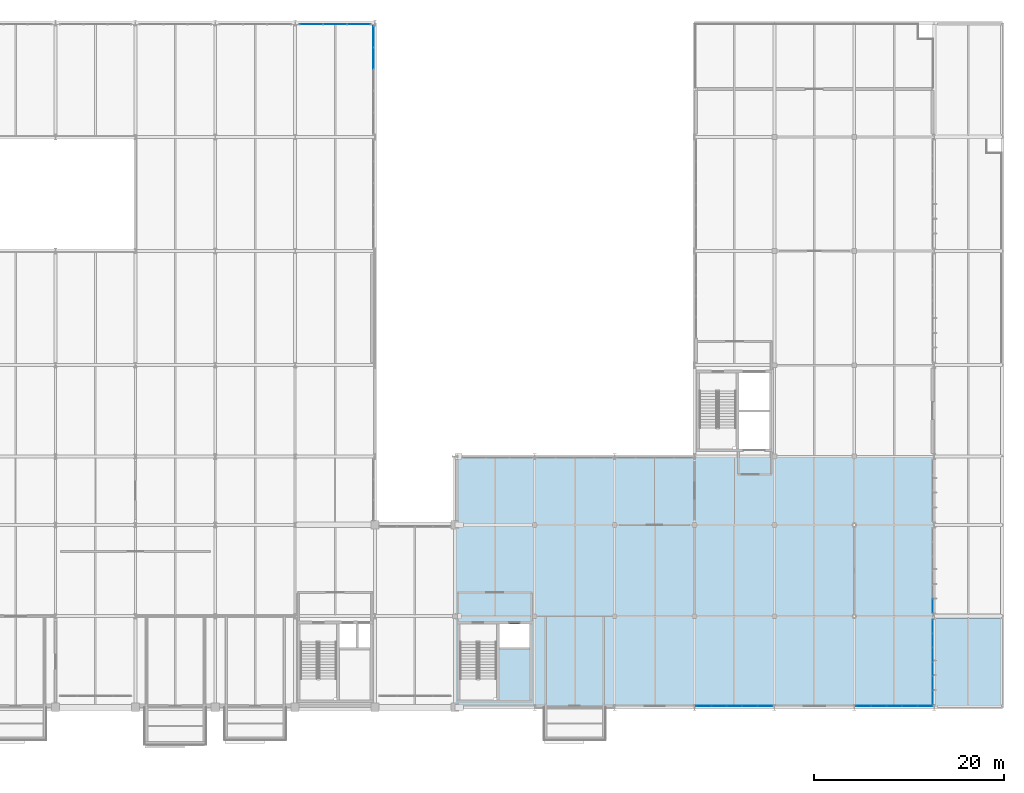
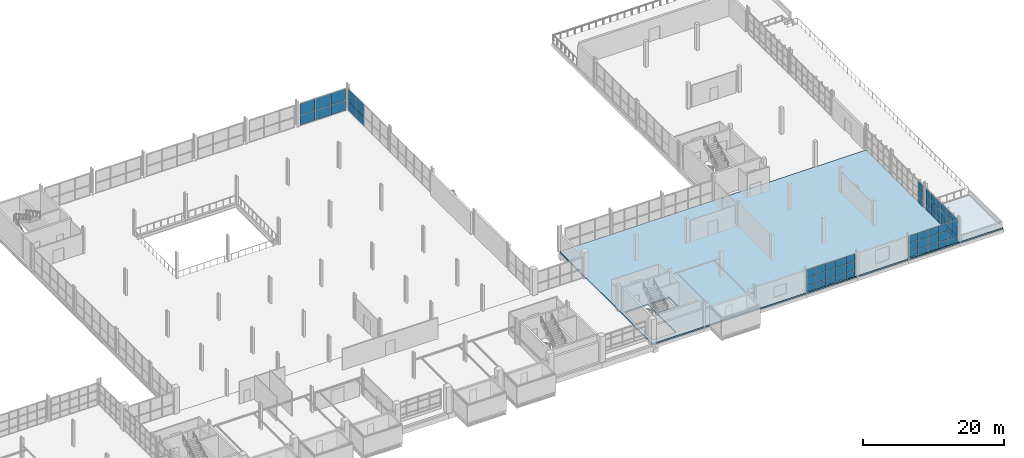
# One storey, part 90 of 109: 61 plates, 2 slabs, 6 elements without a shape of their own.
"""IFC4 building model written with IfcOpenShell, lengths in metres."""

from ifc_helpers import new_model, si_unit, direction, frame, origin, origin_2d, place, context, subcontext, project, spatial, polyline, rectangle, outline, extrude, material, layer, layer_set, type_object, element, aggregate, save


model = new_model("IFC4")

# Units and contexts
model_context = context("Model", 3, precision=1e-05, world=origin(), true_north=direction((0.0, 1.0)))
body_context = subcontext(model_context, "Body", "Model", "MODEL_VIEW")
ifc_project = project(units=[si_unit("LENGTHUNIT", "METRE"), si_unit("AREAUNIT", "SQUARE_METRE"), si_unit("VOLUMEUNIT", "CUBIC_METRE"), si_unit("PLANEANGLEUNIT", "RADIAN"), si_unit("MASSUNIT", "GRAM", prefix="KILO")], contexts=[model_context])

# Site, building, storey
site_placement = place(None, origin())
site = spatial("IfcSite", under=ifc_project, at=site_placement, CompositionType="ELEMENT")
building_placement = place(site_placement, origin())
building = spatial("IfcBuilding", under=site, at=building_placement, Name="Veltarok Museum of Natural Sciences", CompositionType="ELEMENT")
storey_placement = place(building_placement, frame((0.0, 0.0, 17.39990234375)))
storey = spatial("IfcBuildingStorey", under=building, at=storey_placement, Name="L03", CompositionType="ELEMENT", Elevation=17.39990234375)

# Slabs
ifc_material_1 = material(Name="Concrete C35/45", Category="concrete")
ifc_layer_1 = layer(ifc_material_1, 0.239990234375)
ifc_layer_set_1 = layer_set([ifc_layer_1], Name="Concrete C35/45")
slab_type_1 = type_object("IfcSlabType", Name="Insulated Flat Wing Roof Slab 240", PredefinedType="ROOF", material=ifc_layer_set_1)
slab_1_placement = place(storey_placement, frame((0.0, 0.0, -0.239990234375)))
element("IfcSlab", 1, at=slab_1_placement, inside=storey, type_object=slab_type_1, Name="Flat Wing Roof Slab RF-V5SE", PredefinedType="ROOF", context=body_context, shape_type="SweptSolid", body=[
    extrude(outline(polyline([(157.6201171875, 0.0), (157.6201171875, 9.35009765625), (164.800048828125, 9.35009765625), (164.800048828125, 0.0), (157.6201171875, 0.0)])), origin(), (0.0, 0.0, 1.0), 0.239990234375),
])
ifc_layer_2 = layer(ifc_material_1, 0.25)
ifc_layer_set_2 = layer_set([ifc_layer_2], Name="Concrete C35/45")
slab_type_2 = type_object("IfcSlabType", Name="Suspended Museum Floor Slab 250", PredefinedType="FLOOR", material=ifc_layer_set_2)
slab_2_placement = place(storey_placement, frame((0.0, 0.0, -0.25)))
element("IfcSlab", 2, at=slab_2_placement, inside=storey, type_object=slab_type_2, Name="Floor Slab L03 V5S", PredefinedType="FLOOR", context=body_context, shape_type="SweptSolid", body=[
    extrude(outline(polyline([(107.22509765625, 0.0), (107.22509765625, 26.39990234375), (157.60009765625, 26.39990234375), (157.60009765625, 0.0), (107.22509765625, 0.0)]), holes=[polyline([(107.72998046875, 8.800048828125), (107.72998046875, 0.800048828125), (111.570068359375, 0.800048828125), (111.570068359375, 8.800048828125), (107.72998046875, 8.800048828125)]), polyline([(115.070068359375, 8.800048828125), (111.8701171875, 8.800048828125), (111.8701171875, 6.300048828125), (115.070068359375, 6.300048828125), (115.070068359375, 8.800048828125)])]), origin(), (0.0, 0.0, 1.0), 0.25),
])

# Curtain wall, plates
ifc_material_2 = material(Name="Low-iron triple insulated glass", Category="glass")
curtain_wall_type_1 = type_object("IfcCurtainWallType", Name="Curtain Wall System CW-V2N-L03-11-756x388 (V2 North Hall L03 11-12 756x388cm)", PredefinedType="NOTDEFINED", material=ifc_material_2)
curtain_wall_1_placement = place(storey_placement, origin())
curtain_wall_1 = element("IfcCurtainWall", 3, at=curtain_wall_1_placement, inside=storey, type_object=curtain_wall_type_1, Name="Curtain Wall CW-V2N-L03-11-756x388 CW-0060", PredefinedType="NOTDEFINED")
ifc_layer_3 = layer(ifc_material_2, 0.028076171875)
ifc_layer_set_3 = layer_set([ifc_layer_3], Name="Low-iron triple insulated glass")
plate_type = type_object("IfcPlateType", Name="Triple Low-Iron Glazed Vision Panel 28", PredefinedType="CURTAIN_PANEL", material=ifc_layer_set_3)
plate_1_placement = place(storey_placement, frame((97.10498046875, 71.85009765625, 0.06005859375), z_axis=(0.0, 0.0, 1.0), x_axis=(-1.0, 0.0, 0.0)))
plate_1 = element("IfcPlate", 4, at=plate_1_placement, type_object=plate_type, Name="CW-V2N-L03-11-756x388 panel 1.1", PredefinedType="CURTAIN_PANEL", context=body_context, shape_type="SweptSolid", body=[
    extrude(rectangle(XDim=2.429931640625, YDim=0.028076171875, at=origin_2d()), origin(), (0.0, 0.0, 1.0), 1.7099609375),
])
plate_2_placement = place(storey_placement, frame((97.10498046875, 71.85009765625, 1.830078125), z_axis=(0.0, 0.0, 1.0), x_axis=(-1.0, 0.0, 0.0)))
plate_2 = element("IfcPlate", 5, at=plate_2_placement, type_object=plate_type, Name="CW-V2N-L03-11-756x388 panel 1.2", PredefinedType="CURTAIN_PANEL", context=body_context, shape_type="SweptSolid", body=[
    extrude(rectangle(XDim=2.429931640625, YDim=0.028076171875, at=origin_2d()), origin(), (0.0, 0.0, 1.0), 1.989990234375),
])
plate_3_placement = place(storey_placement, frame((94.60009765625, 71.85009765625, 0.06005859375), z_axis=(0.0, 0.0, 1.0), x_axis=(-1.0, 0.0, 0.0)))
plate_3 = element("IfcPlate", 6, at=plate_3_placement, type_object=plate_type, Name="CW-V2N-L03-11-756x388 panel 2.1", PredefinedType="CURTAIN_PANEL", context=body_context, shape_type="SweptSolid", body=[
    extrude(rectangle(XDim=2.4599609375, YDim=0.028076171875, at=origin_2d()), origin(), (0.0, 0.0, 1.0), 1.7099609375),
])
plate_4_placement = place(storey_placement, frame((94.60009765625, 71.85009765625, 1.830078125), z_axis=(0.0, 0.0, 1.0), x_axis=(-1.0, 0.0, 0.0)))
plate_4 = element("IfcPlate", 7, at=plate_4_placement, type_object=plate_type, Name="CW-V2N-L03-11-756x388 panel 2.2", PredefinedType="CURTAIN_PANEL", context=body_context, shape_type="SweptSolid", body=[
    extrude(rectangle(XDim=2.4599609375, YDim=0.028076171875, at=origin_2d()), origin(), (0.0, 0.0, 1.0), 1.989990234375),
])
plate_5_placement = place(storey_placement, frame((92.094970703125, 71.85009765625, 0.06005859375), z_axis=(0.0, 0.0, 1.0), x_axis=(-1.0, 0.0, 0.0)))
plate_5 = element("IfcPlate", 8, at=plate_5_placement, type_object=plate_type, Name="CW-V2N-L03-11-756x388 panel 3.1", PredefinedType="CURTAIN_PANEL", context=body_context, shape_type="SweptSolid", body=[
    extrude(rectangle(XDim=2.429931640625, YDim=0.028076171875, at=origin_2d()), origin(), (0.0, 0.0, 1.0), 1.7099609375),
])
plate_6_placement = place(storey_placement, frame((92.094970703125, 71.85009765625, 1.830078125), z_axis=(0.0, 0.0, 1.0), x_axis=(-1.0, 0.0, 0.0)))
plate_6 = element("IfcPlate", 9, at=plate_6_placement, type_object=plate_type, Name="CW-V2N-L03-11-756x388 panel 3.2", PredefinedType="CURTAIN_PANEL", context=body_context, shape_type="SweptSolid", body=[
    extrude(rectangle(XDim=2.429931640625, YDim=0.028076171875, at=origin_2d()), origin(), (0.0, 0.0, 1.0), 1.989990234375),
])
aggregate(curtain_wall_1, [plate_1, plate_2, plate_3, plate_4, plate_5, plate_6])

curtain_wall_type_2 = type_object("IfcCurtainWallType", Name="Curtain Wall System CW-V5S-L03-16-810x388 (V5 South Lab Curtain Wall L03 16-17 810x388cm)", PredefinedType="NOTDEFINED", material=ifc_material_2)
curtain_wall_2_placement = place(storey_placement, origin())
curtain_wall_2 = element("IfcCurtainWall", 10, at=curtain_wall_2_placement, inside=storey, type_object=curtain_wall_type_2, Name="Curtain Wall CW-V5S-L03-16-810x388 CW-0094", PredefinedType="NOTDEFINED")
plate_7_placement = place(storey_placement, frame((133.375, 0.159912109375, 0.06005859375), z_axis=(0.0, 0.0, 1.0), x_axis=(1.0, 0.0, 0.0)))
plate_7 = element("IfcPlate", 11, at=plate_7_placement, type_object=plate_type, Name="CW-V5S-L03-16-810x388 panel 1.1", PredefinedType="CURTAIN_PANEL", context=body_context, shape_type="SweptSolid", body=[
    extrude(rectangle(XDim=1.530029296875, YDim=0.028076171875, at=origin_2d()), origin(), (0.0, 0.0, 1.0), 0.909912109375),
])
plate_8_placement = place(storey_placement, frame((133.375, 0.159912109375, 1.030029296875), z_axis=(0.0, 0.0, 1.0), x_axis=(1.0, 0.0, 0.0)))
plate_8 = element("IfcPlate", 12, at=plate_8_placement, type_object=plate_type, Name="CW-V5S-L03-16-810x388 panel 1.2", PredefinedType="CURTAIN_PANEL", context=body_context, shape_type="SweptSolid", body=[
    extrude(rectangle(XDim=1.530029296875, YDim=0.028076171875, at=origin_2d()), origin(), (0.0, 0.0, 1.0), 1.43994140625),
])
plate_9_placement = place(storey_placement, frame((133.375, 0.159912109375, 2.530029296875), z_axis=(0.0, 0.0, 1.0), x_axis=(1.0, 0.0, 0.0)))
plate_9 = element("IfcPlate", 13, at=plate_9_placement, type_object=plate_type, Name="CW-V5S-L03-16-810x388 panel 1.3", PredefinedType="CURTAIN_PANEL", context=body_context, shape_type="SweptSolid", body=[
    extrude(rectangle(XDim=1.530029296875, YDim=0.028076171875, at=origin_2d()), origin(), (0.0, 0.0, 1.0), 1.2900390625),
])
plate_10_placement = place(storey_placement, frame((134.97998046875, 0.159912109375, 0.06005859375), z_axis=(0.0, 0.0, 1.0), x_axis=(1.0, 0.0, 0.0)))
plate_10 = element("IfcPlate", 14, at=plate_10_placement, type_object=plate_type, Name="CW-V5S-L03-16-810x388 panel 2.1", PredefinedType="CURTAIN_PANEL", context=body_context, shape_type="SweptSolid", body=[
    extrude(rectangle(XDim=1.56005859375, YDim=0.028076171875, at=origin_2d()), origin(), (0.0, 0.0, 1.0), 0.909912109375),
])
plate_11_placement = place(storey_placement, frame((134.97998046875, 0.159912109375, 1.030029296875), z_axis=(0.0, 0.0, 1.0), x_axis=(1.0, 0.0, 0.0)))
plate_11 = element("IfcPlate", 15, at=plate_11_placement, type_object=plate_type, Name="CW-V5S-L03-16-810x388 panel 2.2", PredefinedType="CURTAIN_PANEL", context=body_context, shape_type="SweptSolid", body=[
    extrude(rectangle(XDim=1.56005859375, YDim=0.028076171875, at=origin_2d()), origin(), (0.0, 0.0, 1.0), 1.43994140625),
])
plate_12_placement = place(storey_placement, frame((134.97998046875, 0.159912109375, 2.530029296875), z_axis=(0.0, 0.0, 1.0), x_axis=(1.0, 0.0, 0.0)))
plate_12 = element("IfcPlate", 16, at=plate_12_placement, type_object=plate_type, Name="CW-V5S-L03-16-810x388 panel 2.3", PredefinedType="CURTAIN_PANEL", context=body_context, shape_type="SweptSolid", body=[
    extrude(rectangle(XDim=1.56005859375, YDim=0.028076171875, at=origin_2d()), origin(), (0.0, 0.0, 1.0), 1.2900390625),
])
plate_13_placement = place(storey_placement, frame((136.60009765625, 0.159912109375, 0.06005859375), z_axis=(0.0, 0.0, 1.0), x_axis=(1.0, 0.0, 0.0)))
plate_13 = element("IfcPlate", 17, at=plate_13_placement, type_object=plate_type, Name="CW-V5S-L03-16-810x388 panel 3.1", PredefinedType="CURTAIN_PANEL", context=body_context, shape_type="SweptSolid", body=[
    extrude(rectangle(XDim=1.56005859375, YDim=0.028076171875, at=origin_2d()), origin(), (0.0, 0.0, 1.0), 0.909912109375),
])
plate_14_placement = place(storey_placement, frame((136.60009765625, 0.159912109375, 1.030029296875), z_axis=(0.0, 0.0, 1.0), x_axis=(1.0, 0.0, 0.0)))
plate_14 = element("IfcPlate", 18, at=plate_14_placement, type_object=plate_type, Name="CW-V5S-L03-16-810x388 panel 3.2", PredefinedType="CURTAIN_PANEL", context=body_context, shape_type="SweptSolid", body=[
    extrude(rectangle(XDim=1.56005859375, YDim=0.028076171875, at=origin_2d()), origin(), (0.0, 0.0, 1.0), 1.43994140625),
])
plate_15_placement = place(storey_placement, frame((136.60009765625, 0.159912109375, 2.530029296875), z_axis=(0.0, 0.0, 1.0), x_axis=(1.0, 0.0, 0.0)))
plate_15 = element("IfcPlate", 19, at=plate_15_placement, type_object=plate_type, Name="CW-V5S-L03-16-810x388 panel 3.3", PredefinedType="CURTAIN_PANEL", context=body_context, shape_type="SweptSolid", body=[
    extrude(rectangle(XDim=1.56005859375, YDim=0.028076171875, at=origin_2d()), origin(), (0.0, 0.0, 1.0), 1.2900390625),
])
plate_16_placement = place(storey_placement, frame((138.219970703125, 0.159912109375, 0.06005859375), z_axis=(0.0, 0.0, 1.0), x_axis=(1.0, 0.0, 0.0)))
plate_16 = element("IfcPlate", 20, at=plate_16_placement, type_object=plate_type, Name="CW-V5S-L03-16-810x388 panel 4.1", PredefinedType="CURTAIN_PANEL", context=body_context, shape_type="SweptSolid", body=[
    extrude(rectangle(XDim=1.56005859375, YDim=0.028076171875, at=origin_2d()), origin(), (0.0, 0.0, 1.0), 0.909912109375),
])
plate_17_placement = place(storey_placement, frame((138.219970703125, 0.159912109375, 1.030029296875), z_axis=(0.0, 0.0, 1.0), x_axis=(1.0, 0.0, 0.0)))
plate_17 = element("IfcPlate", 21, at=plate_17_placement, type_object=plate_type, Name="CW-V5S-L03-16-810x388 panel 4.2", PredefinedType="CURTAIN_PANEL", context=body_context, shape_type="SweptSolid", body=[
    extrude(rectangle(XDim=1.56005859375, YDim=0.028076171875, at=origin_2d()), origin(), (0.0, 0.0, 1.0), 1.43994140625),
])
plate_18_placement = place(storey_placement, frame((138.219970703125, 0.159912109375, 2.530029296875), z_axis=(0.0, 0.0, 1.0), x_axis=(1.0, 0.0, 0.0)))
plate_18 = element("IfcPlate", 22, at=plate_18_placement, type_object=plate_type, Name="CW-V5S-L03-16-810x388 panel 4.3", PredefinedType="CURTAIN_PANEL", context=body_context, shape_type="SweptSolid", body=[
    extrude(rectangle(XDim=1.56005859375, YDim=0.028076171875, at=origin_2d()), origin(), (0.0, 0.0, 1.0), 1.2900390625),
])
plate_19_placement = place(storey_placement, frame((139.824951171875, 0.159912109375, 0.06005859375), z_axis=(0.0, 0.0, 1.0), x_axis=(1.0, 0.0, 0.0)))
plate_19 = element("IfcPlate", 23, at=plate_19_placement, type_object=plate_type, Name="CW-V5S-L03-16-810x388 panel 5.1", PredefinedType="CURTAIN_PANEL", context=body_context, shape_type="SweptSolid", body=[
    extrude(rectangle(XDim=1.530029296875, YDim=0.028076171875, at=origin_2d()), origin(), (0.0, 0.0, 1.0), 0.909912109375),
])
plate_20_placement = place(storey_placement, frame((139.824951171875, 0.159912109375, 1.030029296875), z_axis=(0.0, 0.0, 1.0), x_axis=(1.0, 0.0, 0.0)))
plate_20 = element("IfcPlate", 24, at=plate_20_placement, type_object=plate_type, Name="CW-V5S-L03-16-810x388 panel 5.2", PredefinedType="CURTAIN_PANEL", context=body_context, shape_type="SweptSolid", body=[
    extrude(rectangle(XDim=1.530029296875, YDim=0.028076171875, at=origin_2d()), origin(), (0.0, 0.0, 1.0), 1.43994140625),
])
plate_21_placement = place(storey_placement, frame((139.824951171875, 0.159912109375, 2.530029296875), z_axis=(0.0, 0.0, 1.0), x_axis=(1.0, 0.0, 0.0)))
plate_21 = element("IfcPlate", 25, at=plate_21_placement, type_object=plate_type, Name="CW-V5S-L03-16-810x388 panel 5.3", PredefinedType="CURTAIN_PANEL", context=body_context, shape_type="SweptSolid", body=[
    extrude(rectangle(XDim=1.530029296875, YDim=0.028076171875, at=origin_2d()), origin(), (0.0, 0.0, 1.0), 1.2900390625),
])
aggregate(curtain_wall_2, [plate_7, plate_8, plate_9, plate_10, plate_11, plate_12, plate_13, plate_14, plate_15, plate_16, plate_17, plate_18, plate_19, plate_20, plate_21])

curtain_wall_type_3 = type_object("IfcCurtainWallType", Name="Curtain Wall System CW-V5S-L03-18-810x388 (V5 South Lab Curtain Wall L03 18-19 810x388cm)", PredefinedType="NOTDEFINED", material=ifc_material_2)
curtain_wall_3_placement = place(storey_placement, origin())
curtain_wall_3 = element("IfcCurtainWall", 26, at=curtain_wall_3_placement, inside=storey, type_object=curtain_wall_type_3, Name="Curtain Wall CW-V5S-L03-18-810x388 CW-0095", PredefinedType="NOTDEFINED")
plate_22_placement = place(storey_placement, frame((150.175048828125, 0.159912109375, 0.06005859375), z_axis=(0.0, 0.0, 1.0), x_axis=(1.0, 0.0, 0.0)))
plate_22 = element("IfcPlate", 27, at=plate_22_placement, type_object=plate_type, Name="CW-V5S-L03-18-810x388 panel 1.1", PredefinedType="CURTAIN_PANEL", context=body_context, shape_type="SweptSolid", body=[
    extrude(rectangle(XDim=1.530029296875, YDim=0.028076171875, at=origin_2d()), origin(), (0.0, 0.0, 1.0), 0.909912109375),
])
plate_23_placement = place(storey_placement, frame((150.175048828125, 0.159912109375, 1.030029296875), z_axis=(0.0, 0.0, 1.0), x_axis=(1.0, 0.0, 0.0)))
plate_23 = element("IfcPlate", 28, at=plate_23_placement, type_object=plate_type, Name="CW-V5S-L03-18-810x388 panel 1.2", PredefinedType="CURTAIN_PANEL", context=body_context, shape_type="SweptSolid", body=[
    extrude(rectangle(XDim=1.530029296875, YDim=0.028076171875, at=origin_2d()), origin(), (0.0, 0.0, 1.0), 1.43994140625),
])
plate_24_placement = place(storey_placement, frame((150.175048828125, 0.159912109375, 2.530029296875), z_axis=(0.0, 0.0, 1.0), x_axis=(1.0, 0.0, 0.0)))
plate_24 = element("IfcPlate", 29, at=plate_24_placement, type_object=plate_type, Name="CW-V5S-L03-18-810x388 panel 1.3", PredefinedType="CURTAIN_PANEL", context=body_context, shape_type="SweptSolid", body=[
    extrude(rectangle(XDim=1.530029296875, YDim=0.028076171875, at=origin_2d()), origin(), (0.0, 0.0, 1.0), 1.2900390625),
])
plate_25_placement = place(storey_placement, frame((151.780029296875, 0.159912109375, 0.06005859375), z_axis=(0.0, 0.0, 1.0), x_axis=(1.0, 0.0, 0.0)))
plate_25 = element("IfcPlate", 30, at=plate_25_placement, type_object=plate_type, Name="CW-V5S-L03-18-810x388 panel 2.1", PredefinedType="CURTAIN_PANEL", context=body_context, shape_type="SweptSolid", body=[
    extrude(rectangle(XDim=1.56005859375, YDim=0.028076171875, at=origin_2d()), origin(), (0.0, 0.0, 1.0), 0.909912109375),
])
plate_26_placement = place(storey_placement, frame((151.780029296875, 0.159912109375, 1.030029296875), z_axis=(0.0, 0.0, 1.0), x_axis=(1.0, 0.0, 0.0)))
plate_26 = element("IfcPlate", 31, at=plate_26_placement, type_object=plate_type, Name="CW-V5S-L03-18-810x388 panel 2.2", PredefinedType="CURTAIN_PANEL", context=body_context, shape_type="SweptSolid", body=[
    extrude(rectangle(XDim=1.56005859375, YDim=0.028076171875, at=origin_2d()), origin(), (0.0, 0.0, 1.0), 1.43994140625),
])
plate_27_placement = place(storey_placement, frame((151.780029296875, 0.159912109375, 2.530029296875), z_axis=(0.0, 0.0, 1.0), x_axis=(1.0, 0.0, 0.0)))
plate_27 = element("IfcPlate", 32, at=plate_27_placement, type_object=plate_type, Name="CW-V5S-L03-18-810x388 panel 2.3", PredefinedType="CURTAIN_PANEL", context=body_context, shape_type="SweptSolid", body=[
    extrude(rectangle(XDim=1.56005859375, YDim=0.028076171875, at=origin_2d()), origin(), (0.0, 0.0, 1.0), 1.2900390625),
])
plate_28_placement = place(storey_placement, frame((153.39990234375, 0.159912109375, 0.06005859375), z_axis=(0.0, 0.0, 1.0), x_axis=(1.0, 0.0, 0.0)))
plate_28 = element("IfcPlate", 33, at=plate_28_placement, type_object=plate_type, Name="CW-V5S-L03-18-810x388 panel 3.1", PredefinedType="CURTAIN_PANEL", context=body_context, shape_type="SweptSolid", body=[
    extrude(rectangle(XDim=1.56005859375, YDim=0.028076171875, at=origin_2d()), origin(), (0.0, 0.0, 1.0), 0.909912109375),
])
plate_29_placement = place(storey_placement, frame((153.39990234375, 0.159912109375, 1.030029296875), z_axis=(0.0, 0.0, 1.0), x_axis=(1.0, 0.0, 0.0)))
plate_29 = element("IfcPlate", 34, at=plate_29_placement, type_object=plate_type, Name="CW-V5S-L03-18-810x388 panel 3.2", PredefinedType="CURTAIN_PANEL", context=body_context, shape_type="SweptSolid", body=[
    extrude(rectangle(XDim=1.56005859375, YDim=0.028076171875, at=origin_2d()), origin(), (0.0, 0.0, 1.0), 1.43994140625),
])
plate_30_placement = place(storey_placement, frame((153.39990234375, 0.159912109375, 2.530029296875), z_axis=(0.0, 0.0, 1.0), x_axis=(1.0, 0.0, 0.0)))
plate_30 = element("IfcPlate", 35, at=plate_30_placement, type_object=plate_type, Name="CW-V5S-L03-18-810x388 panel 3.3", PredefinedType="CURTAIN_PANEL", context=body_context, shape_type="SweptSolid", body=[
    extrude(rectangle(XDim=1.56005859375, YDim=0.028076171875, at=origin_2d()), origin(), (0.0, 0.0, 1.0), 1.2900390625),
])
plate_31_placement = place(storey_placement, frame((155.02001953125, 0.159912109375, 0.06005859375), z_axis=(0.0, 0.0, 1.0), x_axis=(1.0, 0.0, 0.0)))
plate_31 = element("IfcPlate", 36, at=plate_31_placement, type_object=plate_type, Name="CW-V5S-L03-18-810x388 panel 4.1", PredefinedType="CURTAIN_PANEL", context=body_context, shape_type="SweptSolid", body=[
    extrude(rectangle(XDim=1.56005859375, YDim=0.028076171875, at=origin_2d()), origin(), (0.0, 0.0, 1.0), 0.909912109375),
])
plate_32_placement = place(storey_placement, frame((155.02001953125, 0.159912109375, 1.030029296875), z_axis=(0.0, 0.0, 1.0), x_axis=(1.0, 0.0, 0.0)))
plate_32 = element("IfcPlate", 37, at=plate_32_placement, type_object=plate_type, Name="CW-V5S-L03-18-810x388 panel 4.2", PredefinedType="CURTAIN_PANEL", context=body_context, shape_type="SweptSolid", body=[
    extrude(rectangle(XDim=1.56005859375, YDim=0.028076171875, at=origin_2d()), origin(), (0.0, 0.0, 1.0), 1.43994140625),
])
plate_33_placement = place(storey_placement, frame((155.02001953125, 0.159912109375, 2.530029296875), z_axis=(0.0, 0.0, 1.0), x_axis=(1.0, 0.0, 0.0)))
plate_33 = element("IfcPlate", 38, at=plate_33_placement, type_object=plate_type, Name="CW-V5S-L03-18-810x388 panel 4.3", PredefinedType="CURTAIN_PANEL", context=body_context, shape_type="SweptSolid", body=[
    extrude(rectangle(XDim=1.56005859375, YDim=0.028076171875, at=origin_2d()), origin(), (0.0, 0.0, 1.0), 1.2900390625),
])
plate_34_placement = place(storey_placement, frame((156.625, 0.159912109375, 0.06005859375), z_axis=(0.0, 0.0, 1.0), x_axis=(1.0, 0.0, 0.0)))
plate_34 = element("IfcPlate", 39, at=plate_34_placement, type_object=plate_type, Name="CW-V5S-L03-18-810x388 panel 5.1", PredefinedType="CURTAIN_PANEL", context=body_context, shape_type="SweptSolid", body=[
    extrude(rectangle(XDim=1.530029296875, YDim=0.028076171875, at=origin_2d()), origin(), (0.0, 0.0, 1.0), 0.909912109375),
])
plate_35_placement = place(storey_placement, frame((156.625, 0.159912109375, 1.030029296875), z_axis=(0.0, 0.0, 1.0), x_axis=(1.0, 0.0, 0.0)))
plate_35 = element("IfcPlate", 40, at=plate_35_placement, type_object=plate_type, Name="CW-V5S-L03-18-810x388 panel 5.2", PredefinedType="CURTAIN_PANEL", context=body_context, shape_type="SweptSolid", body=[
    extrude(rectangle(XDim=1.530029296875, YDim=0.028076171875, at=origin_2d()), origin(), (0.0, 0.0, 1.0), 1.43994140625),
])
plate_36_placement = place(storey_placement, frame((156.625, 0.159912109375, 2.530029296875), z_axis=(0.0, 0.0, 1.0), x_axis=(1.0, 0.0, 0.0)))
plate_36 = element("IfcPlate", 41, at=plate_36_placement, type_object=plate_type, Name="CW-V5S-L03-18-810x388 panel 5.3", PredefinedType="CURTAIN_PANEL", context=body_context, shape_type="SweptSolid", body=[
    extrude(rectangle(XDim=1.530029296875, YDim=0.028076171875, at=origin_2d()), origin(), (0.0, 0.0, 1.0), 1.2900390625),
])
aggregate(curtain_wall_3, [plate_22, plate_23, plate_24, plate_25, plate_26, plate_27, plate_28, plate_29, plate_30, plate_31, plate_32, plate_33, plate_34, plate_35, plate_36])

curtain_wall_type_4 = type_object("IfcCurtainWallType", Name="Curtain Wall System CW-V5E-L03-A-900x388 (V5 East Lab L03 A-B 900x388cm)", PredefinedType="NOTDEFINED", material=ifc_material_2)
curtain_wall_4_placement = place(storey_placement, origin())
curtain_wall_4 = element("IfcCurtainWall", 42, at=curtain_wall_4_placement, inside=storey, type_object=curtain_wall_type_4, Name="Curtain Wall CW-V5E-L03-A-900x388 CW-0115", PredefinedType="NOTDEFINED")
plate_37_placement = place(storey_placement, frame((157.449951171875, 1.06494140625, 0.06005859375), z_axis=(0.0, 0.0, 1.0), x_axis=(0.0, 1.0, 0.0)))
plate_37 = element("IfcPlate", 43, at=plate_37_placement, type_object=plate_type, Name="CW-V5E-L03-A-900x388 panel 1.1", PredefinedType="CURTAIN_PANEL", context=body_context, shape_type="SweptSolid", body=[
    extrude(rectangle(XDim=1.409912109375, YDim=0.028076171875, at=origin_2d()), origin(), (0.0, 0.0, 1.0), 0.909912109375),
])
plate_38_placement = place(storey_placement, frame((157.449951171875, 1.06494140625, 1.030029296875), z_axis=(0.0, 0.0, 1.0), x_axis=(0.0, 1.0, 0.0)))
plate_38 = element("IfcPlate", 44, at=plate_38_placement, type_object=plate_type, Name="CW-V5E-L03-A-900x388 panel 1.2", PredefinedType="CURTAIN_PANEL", context=body_context, shape_type="SweptSolid", body=[
    extrude(rectangle(XDim=1.409912109375, YDim=0.028076171875, at=origin_2d()), origin(), (0.0, 0.0, 1.0), 1.43994140625),
])
plate_39_placement = place(storey_placement, frame((157.449951171875, 1.06494140625, 2.530029296875), z_axis=(0.0, 0.0, 1.0), x_axis=(0.0, 1.0, 0.0)))
plate_39 = element("IfcPlate", 45, at=plate_39_placement, type_object=plate_type, Name="CW-V5E-L03-A-900x388 panel 1.3", PredefinedType="CURTAIN_PANEL", context=body_context, shape_type="SweptSolid", body=[
    extrude(rectangle(XDim=1.409912109375, YDim=0.028076171875, at=origin_2d()), origin(), (0.0, 0.0, 1.0), 1.2900390625),
])
plate_40_placement = place(storey_placement, frame((157.449951171875, 2.550048828125, 0.06005859375), z_axis=(0.0, 0.0, 1.0), x_axis=(0.0, 1.0, 0.0)))
plate_40 = element("IfcPlate", 46, at=plate_40_placement, type_object=plate_type, Name="CW-V5E-L03-A-900x388 panel 2.1", PredefinedType="CURTAIN_PANEL", context=body_context, shape_type="SweptSolid", body=[
    extrude(rectangle(XDim=1.43994140625, YDim=0.028076171875, at=origin_2d()), origin(), (0.0, 0.0, 1.0), 0.909912109375),
])
plate_41_placement = place(storey_placement, frame((157.449951171875, 2.550048828125, 1.030029296875), z_axis=(0.0, 0.0, 1.0), x_axis=(0.0, 1.0, 0.0)))
plate_41 = element("IfcPlate", 47, at=plate_41_placement, type_object=plate_type, Name="CW-V5E-L03-A-900x388 panel 2.2", PredefinedType="CURTAIN_PANEL", context=body_context, shape_type="SweptSolid", body=[
    extrude(rectangle(XDim=1.43994140625, YDim=0.028076171875, at=origin_2d()), origin(), (0.0, 0.0, 1.0), 1.43994140625),
])
plate_42_placement = place(storey_placement, frame((157.449951171875, 2.550048828125, 2.530029296875), z_axis=(0.0, 0.0, 1.0), x_axis=(0.0, 1.0, 0.0)))
plate_42 = element("IfcPlate", 48, at=plate_42_placement, type_object=plate_type, Name="CW-V5E-L03-A-900x388 panel 2.3", PredefinedType="CURTAIN_PANEL", context=body_context, shape_type="SweptSolid", body=[
    extrude(rectangle(XDim=1.43994140625, YDim=0.028076171875, at=origin_2d()), origin(), (0.0, 0.0, 1.0), 1.2900390625),
])
plate_43_placement = place(storey_placement, frame((157.449951171875, 4.050048828125, 0.06005859375), z_axis=(0.0, 0.0, 1.0), x_axis=(0.0, 1.0, 0.0)))
plate_43 = element("IfcPlate", 49, at=plate_43_placement, type_object=plate_type, Name="CW-V5E-L03-A-900x388 panel 3.1", PredefinedType="CURTAIN_PANEL", context=body_context, shape_type="SweptSolid", body=[
    extrude(rectangle(XDim=1.43994140625, YDim=0.028076171875, at=origin_2d()), origin(), (0.0, 0.0, 1.0), 0.909912109375),
])
plate_44_placement = place(storey_placement, frame((157.449951171875, 4.050048828125, 1.030029296875), z_axis=(0.0, 0.0, 1.0), x_axis=(0.0, 1.0, 0.0)))
plate_44 = element("IfcPlate", 50, at=plate_44_placement, type_object=plate_type, Name="CW-V5E-L03-A-900x388 panel 3.2", PredefinedType="CURTAIN_PANEL", context=body_context, shape_type="SweptSolid", body=[
    extrude(rectangle(XDim=1.43994140625, YDim=0.028076171875, at=origin_2d()), origin(), (0.0, 0.0, 1.0), 1.43994140625),
])
plate_45_placement = place(storey_placement, frame((157.449951171875, 4.050048828125, 2.530029296875), z_axis=(0.0, 0.0, 1.0), x_axis=(0.0, 1.0, 0.0)))
plate_45 = element("IfcPlate", 51, at=plate_45_placement, type_object=plate_type, Name="CW-V5E-L03-A-900x388 panel 3.3", PredefinedType="CURTAIN_PANEL", context=body_context, shape_type="SweptSolid", body=[
    extrude(rectangle(XDim=1.43994140625, YDim=0.028076171875, at=origin_2d()), origin(), (0.0, 0.0, 1.0), 1.2900390625),
])
plate_46_placement = place(storey_placement, frame((157.449951171875, 5.550048828125, 0.06005859375), z_axis=(0.0, 0.0, 1.0), x_axis=(0.0, 1.0, 0.0)))
plate_46 = element("IfcPlate", 52, at=plate_46_placement, type_object=plate_type, Name="CW-V5E-L03-A-900x388 panel 4.1", PredefinedType="CURTAIN_PANEL", context=body_context, shape_type="SweptSolid", body=[
    extrude(rectangle(XDim=1.43994140625, YDim=0.028076171875, at=origin_2d()), origin(), (0.0, 0.0, 1.0), 0.909912109375),
])
plate_47_placement = place(storey_placement, frame((157.449951171875, 5.550048828125, 1.030029296875), z_axis=(0.0, 0.0, 1.0), x_axis=(0.0, 1.0, 0.0)))
plate_47 = element("IfcPlate", 53, at=plate_47_placement, type_object=plate_type, Name="CW-V5E-L03-A-900x388 panel 4.2", PredefinedType="CURTAIN_PANEL", context=body_context, shape_type="SweptSolid", body=[
    extrude(rectangle(XDim=1.43994140625, YDim=0.028076171875, at=origin_2d()), origin(), (0.0, 0.0, 1.0), 1.43994140625),
])
plate_48_placement = place(storey_placement, frame((157.449951171875, 5.550048828125, 2.530029296875), z_axis=(0.0, 0.0, 1.0), x_axis=(0.0, 1.0, 0.0)))
plate_48 = element("IfcPlate", 54, at=plate_48_placement, type_object=plate_type, Name="CW-V5E-L03-A-900x388 panel 4.3", PredefinedType="CURTAIN_PANEL", context=body_context, shape_type="SweptSolid", body=[
    extrude(rectangle(XDim=1.43994140625, YDim=0.028076171875, at=origin_2d()), origin(), (0.0, 0.0, 1.0), 1.2900390625),
])
plate_49_placement = place(storey_placement, frame((157.449951171875, 7.050048828125, 0.06005859375), z_axis=(0.0, 0.0, 1.0), x_axis=(0.0, 1.0, 0.0)))
plate_49 = element("IfcPlate", 55, at=plate_49_placement, type_object=plate_type, Name="CW-V5E-L03-A-900x388 panel 5.1", PredefinedType="CURTAIN_PANEL", context=body_context, shape_type="SweptSolid", body=[
    extrude(rectangle(XDim=1.43994140625, YDim=0.028076171875, at=origin_2d()), origin(), (0.0, 0.0, 1.0), 0.909912109375),
])
plate_50_placement = place(storey_placement, frame((157.449951171875, 7.050048828125, 1.030029296875), z_axis=(0.0, 0.0, 1.0), x_axis=(0.0, 1.0, 0.0)))
plate_50 = element("IfcPlate", 56, at=plate_50_placement, type_object=plate_type, Name="CW-V5E-L03-A-900x388 panel 5.2", PredefinedType="CURTAIN_PANEL", context=body_context, shape_type="SweptSolid", body=[
    extrude(rectangle(XDim=1.43994140625, YDim=0.028076171875, at=origin_2d()), origin(), (0.0, 0.0, 1.0), 1.43994140625),
])
plate_51_placement = place(storey_placement, frame((157.449951171875, 7.050048828125, 2.530029296875), z_axis=(0.0, 0.0, 1.0), x_axis=(0.0, 1.0, 0.0)))
plate_51 = element("IfcPlate", 57, at=plate_51_placement, type_object=plate_type, Name="CW-V5E-L03-A-900x388 panel 5.3", PredefinedType="CURTAIN_PANEL", context=body_context, shape_type="SweptSolid", body=[
    extrude(rectangle(XDim=1.43994140625, YDim=0.028076171875, at=origin_2d()), origin(), (0.0, 0.0, 1.0), 1.2900390625),
])
plate_52_placement = place(storey_placement, frame((157.449951171875, 8.534912109375, 0.06005859375), z_axis=(0.0, 0.0, 1.0), x_axis=(0.0, 1.0, 0.0)))
plate_52 = element("IfcPlate", 58, at=plate_52_placement, type_object=plate_type, Name="CW-V5E-L03-A-900x388 panel 6.1", PredefinedType="CURTAIN_PANEL", context=body_context, shape_type="SweptSolid", body=[
    extrude(rectangle(XDim=1.409912109375, YDim=0.028076171875, at=origin_2d()), origin(), (0.0, 0.0, 1.0), 0.909912109375),
])
plate_53_placement = place(storey_placement, frame((157.449951171875, 8.534912109375, 1.030029296875), z_axis=(0.0, 0.0, 1.0), x_axis=(0.0, 1.0, 0.0)))
plate_53 = element("IfcPlate", 59, at=plate_53_placement, type_object=plate_type, Name="CW-V5E-L03-A-900x388 panel 6.2", PredefinedType="CURTAIN_PANEL", context=body_context, shape_type="SweptSolid", body=[
    extrude(rectangle(XDim=1.409912109375, YDim=0.028076171875, at=origin_2d()), origin(), (0.0, 0.0, 1.0), 1.43994140625),
])
plate_54_placement = place(storey_placement, frame((157.449951171875, 8.534912109375, 2.530029296875), z_axis=(0.0, 0.0, 1.0), x_axis=(0.0, 1.0, 0.0)))
plate_54 = element("IfcPlate", 60, at=plate_54_placement, type_object=plate_type, Name="CW-V5E-L03-A-900x388 panel 6.3", PredefinedType="CURTAIN_PANEL", context=body_context, shape_type="SweptSolid", body=[
    extrude(rectangle(XDim=1.409912109375, YDim=0.028076171875, at=origin_2d()), origin(), (0.0, 0.0, 1.0), 1.2900390625),
])
aggregate(curtain_wall_4, [plate_37, plate_38, plate_39, plate_40, plate_41, plate_42, plate_43, plate_44, plate_45, plate_46, plate_47, plate_48, plate_49, plate_50, plate_51, plate_52, plate_53, plate_54])

curtain_wall_type_5 = type_object("IfcCurtainWallType", Name="Curtain Wall System CW-V5E-L03-B-900x388 (V5 East Lab L03 B-C 900x388cm)", PredefinedType="NOTDEFINED", material=ifc_material_2)
curtain_wall_5_placement = place(storey_placement, origin())
curtain_wall_5 = element("IfcCurtainWall", 61, at=curtain_wall_5_placement, inside=storey, type_object=curtain_wall_type_5, Name="Curtain Wall CW-V5E-L03-B-900x388 CW-0116", PredefinedType="NOTDEFINED")
plate_55_placement = place(storey_placement, frame((157.449951171875, 10.6650390625, 0.06005859375), z_axis=(0.0, 0.0, 1.0), x_axis=(0.0, 1.0, 0.0)))
plate_55 = element("IfcPlate", 62, at=plate_55_placement, type_object=plate_type, Name="CW-V5E-L03-B-900x388 panel 1.1", PredefinedType="CURTAIN_PANEL", context=body_context, shape_type="SweptSolid", body=[
    extrude(rectangle(XDim=1.409912109375, YDim=0.028076171875, at=origin_2d()), origin(), (0.0, 0.0, 1.0), 0.909912109375),
])
plate_56_placement = place(storey_placement, frame((157.449951171875, 10.6650390625, 1.030029296875), z_axis=(0.0, 0.0, 1.0), x_axis=(0.0, 1.0, 0.0)))
plate_56 = element("IfcPlate", 63, at=plate_56_placement, type_object=plate_type, Name="CW-V5E-L03-B-900x388 panel 1.2", PredefinedType="CURTAIN_PANEL", context=body_context, shape_type="SweptSolid", body=[
    extrude(rectangle(XDim=1.409912109375, YDim=0.028076171875, at=origin_2d()), origin(), (0.0, 0.0, 1.0), 1.43994140625),
])
plate_57_placement = place(storey_placement, frame((157.449951171875, 10.6650390625, 2.530029296875), z_axis=(0.0, 0.0, 1.0), x_axis=(0.0, 1.0, 0.0)))
plate_57 = element("IfcPlate", 64, at=plate_57_placement, type_object=plate_type, Name="CW-V5E-L03-B-900x388 panel 1.3", PredefinedType="CURTAIN_PANEL", context=body_context, shape_type="SweptSolid", body=[
    extrude(rectangle(XDim=1.409912109375, YDim=0.028076171875, at=origin_2d()), origin(), (0.0, 0.0, 1.0), 1.2900390625),
])
aggregate(curtain_wall_5, [plate_55, plate_56, plate_57])

curtain_wall_type_6 = type_object("IfcCurtainWallType", Name="Curtain Wall System CW-V2E-L03-0-1140x388 (CW-V2E L03 1140x388cm)", PredefinedType="NOTDEFINED", material=ifc_material_2)
curtain_wall_6_placement = place(storey_placement, origin())
curtain_wall_6 = element("IfcCurtainWall", 65, at=curtain_wall_6_placement, inside=storey, type_object=curtain_wall_type_6, Name="Curtain Wall CW-V2E-L03-0-1140x388 CW-0136", PredefinedType="NOTDEFINED")
plate_58_placement = place(storey_placement, frame((98.64990234375, 68.280029296875, 0.05810546875), z_axis=(0.0, 0.0, 1.0), x_axis=(0.0, 1.0, 0.0)))
plate_58 = element("IfcPlate", 66, at=plate_58_placement, type_object=plate_type, Name="CW-V2E-L03-0-1140x388 panel 4.1", PredefinedType="CURTAIN_PANEL", context=body_context, shape_type="SweptSolid", body=[
    extrude(rectangle(XDim=2.219970703125, YDim=0.028076171875, at=origin_2d()), origin(), (0.0, 0.0, 1.0), 1.56005859375),
])
plate_59_placement = place(storey_placement, frame((98.64990234375, 68.280029296875, 1.677978515625), z_axis=(0.0, 0.0, 1.0), x_axis=(0.0, 1.0, 0.0)))
plate_59 = element("IfcPlate", 67, at=plate_59_placement, type_object=plate_type, Name="CW-V2E-L03-0-1140x388 panel 4.2", PredefinedType="CURTAIN_PANEL", context=body_context, shape_type="SweptSolid", body=[
    extrude(rectangle(XDim=2.219970703125, YDim=0.028076171875, at=origin_2d()), origin(), (0.0, 0.0, 1.0), 2.14208984375),
])
plate_60_placement = place(storey_placement, frame((98.64990234375, 70.544921875, 0.05810546875), z_axis=(0.0, 0.0, 1.0), x_axis=(0.0, 1.0, 0.0)))
plate_60 = element("IfcPlate", 68, at=plate_60_placement, type_object=plate_type, Name="CW-V2E-L03-0-1140x388 panel 5.1", PredefinedType="CURTAIN_PANEL", context=body_context, shape_type="SweptSolid", body=[
    extrude(rectangle(XDim=2.18994140625, YDim=0.028076171875, at=origin_2d()), origin(), (0.0, 0.0, 1.0), 1.56005859375),
])
plate_61_placement = place(storey_placement, frame((98.64990234375, 70.544921875, 1.677978515625), z_axis=(0.0, 0.0, 1.0), x_axis=(0.0, 1.0, 0.0)))
plate_61 = element("IfcPlate", 69, at=plate_61_placement, type_object=plate_type, Name="CW-V2E-L03-0-1140x388 panel 5.2", PredefinedType="CURTAIN_PANEL", context=body_context, shape_type="SweptSolid", body=[
    extrude(rectangle(XDim=2.18994140625, YDim=0.028076171875, at=origin_2d()), origin(), (0.0, 0.0, 1.0), 2.14208984375),
])
aggregate(curtain_wall_6, [plate_58, plate_59, plate_60, plate_61])

save(model, "model.ifc")
